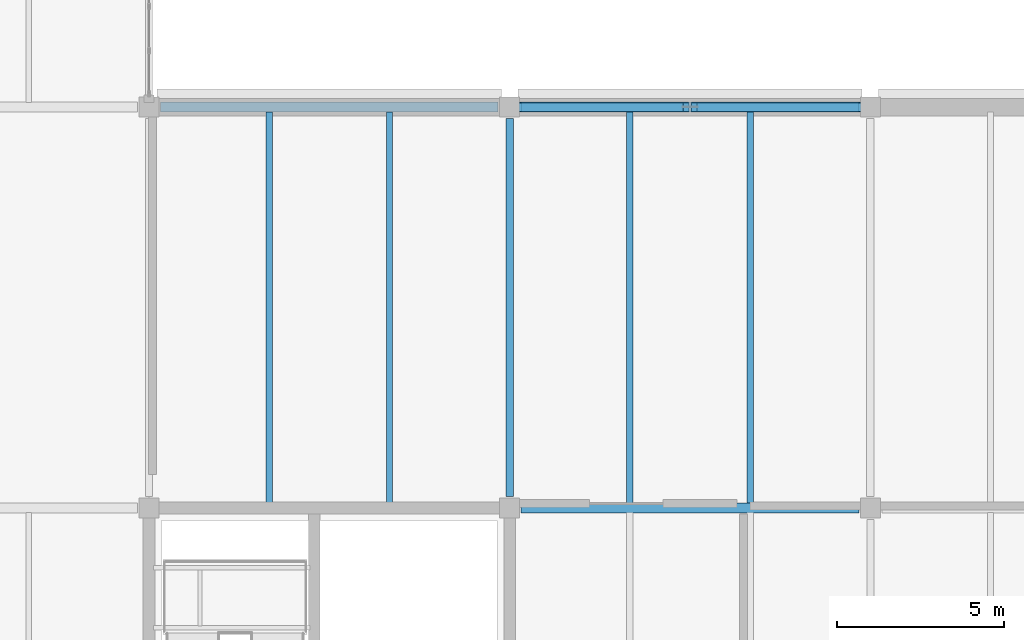
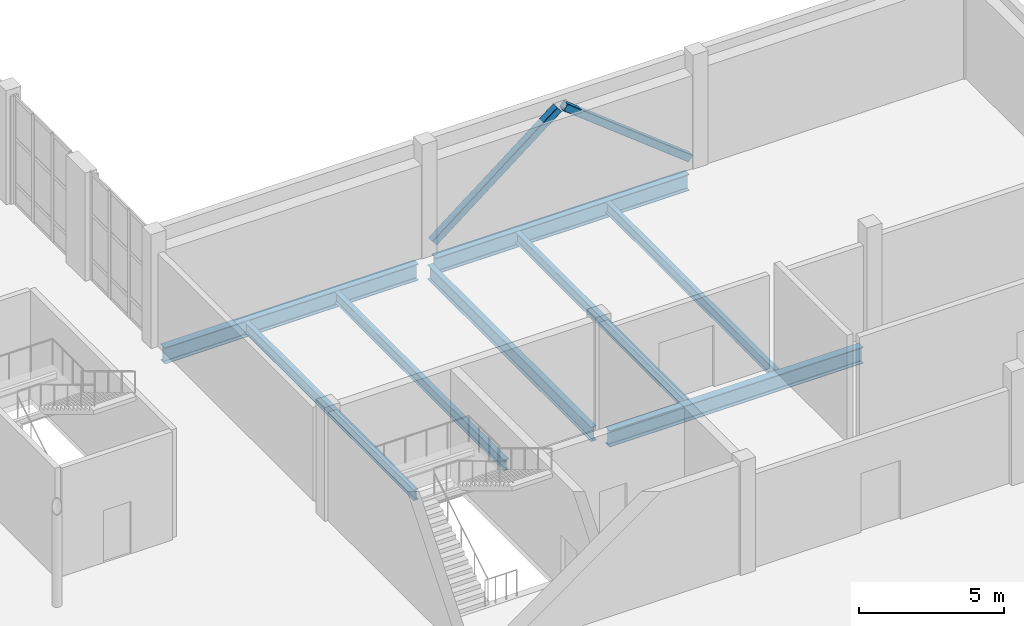
# One storey, part 37 of 100: 8 beams, 2 members.
"""IFC4 building model written with IfcOpenShell, lengths in metres."""

from ifc_helpers import new_model, si_unit, direction, frame, origin, origin_2d, place, context, subcontext, project, spatial, hollow_rectangle, i_section, extrude, material, material_profile, profile_set, type_object, element, save


model = new_model("IFC4")

# Units and contexts
model_context = context("Model", 3, precision=1e-05, world=origin(), true_north=direction((0.0, 1.0)))
body_context = subcontext(model_context, "Body", "Model", "MODEL_VIEW")
ifc_project = project(units=[si_unit("LENGTHUNIT", "METRE"), si_unit("AREAUNIT", "SQUARE_METRE"), si_unit("VOLUMEUNIT", "CUBIC_METRE"), si_unit("PLANEANGLEUNIT", "RADIAN"), si_unit("MASSUNIT", "GRAM", prefix="KILO")], contexts=[model_context])

# Site, building, storey
site_placement = place(None, origin())
site = spatial("IfcSite", under=ifc_project, at=site_placement, CompositionType="ELEMENT")
building_placement = place(site_placement, origin())
building = spatial("IfcBuilding", under=site, at=building_placement, Name="Tasgan Crest Museum", CompositionType="ELEMENT")
storey_placement = place(building_placement, frame((0.0, 0.0, 9.60009765625)))
storey = spatial("IfcBuildingStorey", under=building, at=storey_placement, Name="L02", CompositionType="ELEMENT", Elevation=9.60009765625)

# Beams
ifc_material_1 = material(Name="Steel S355K2", Category="steel")
ifc_material_profile_1 = material_profile(ifc_material_1, i_section(OverallWidth=0.300048828125, OverallDepth=0.68994140625, WebThickness=0.014404296875, FlangeThickness=0.027099609375, FilletRadius=0.027099609375, at=origin_2d()), Name="HEA 700")
ifc_profile_set_1 = profile_set([ifc_material_profile_1], Name="Steel S355K2")
beam_type_1 = type_object("IfcBeamType", Name="BM-G-HEA700", PredefinedType="BEAM", material=ifc_profile_set_1)
beam_1_placement = place(storey_placement, frame((119.14599609375, 50.0, -0.625), z_axis=(1.0, 0.0, 0.0), x_axis=(0.0, 1.0, 0.0)))
element("IfcBeam", 1, at=beam_1_placement, inside=storey, type_object=beam_type_1, Name="Girder L02 F 118.8-129.6", PredefinedType="BEAM", context=body_context, shape_type="SweptSolid", body=[
    extrude(i_section(OverallWidth=0.300048828125, OverallDepth=0.68994140625, WebThickness=0.014404296875, FlangeThickness=0.027099609375, FilletRadius=0.027099609375, at=origin_2d()), origin(), (0.0, 0.0, 1.0), 10.10791015625),
])
beam_2_placement = place(storey_placement, frame((108.345947265625, 62.0, -0.625), z_axis=(1.0, 0.0, 0.0), x_axis=(0.0, 1.0, 0.0)))
element("IfcBeam", 2, at=beam_2_placement, inside=storey, type_object=beam_type_1, Name="Girder L02 G 108.0-118.8", PredefinedType="BEAM", context=body_context, shape_type="SweptSolid", body=[
    extrude(i_section(OverallWidth=0.300048828125, OverallDepth=0.68994140625, WebThickness=0.014404296875, FlangeThickness=0.027099609375, FilletRadius=0.027099609375, at=origin_2d()), origin(), (0.0, 0.0, 1.0), 10.108154296875),
])
beam_3_placement = place(storey_placement, frame((119.14599609375, 62.0, -0.625), z_axis=(1.0, 0.0, 0.0), x_axis=(0.0, 1.0, 0.0)))
element("IfcBeam", 3, at=beam_3_placement, inside=storey, type_object=beam_type_1, Name="Girder L02 G 118.8-129.6", PredefinedType="BEAM", context=body_context, shape_type="SweptSolid", body=[
    extrude(i_section(OverallWidth=0.300048828125, OverallDepth=0.68994140625, WebThickness=0.014404296875, FlangeThickness=0.027099609375, FilletRadius=0.027099609375, at=origin_2d()), origin(), (0.0, 0.0, 1.0), 10.10791015625),
])
ifc_material_2 = material(Name="Steel S355J2", Category="steel")
ifc_material_profile_2 = material_profile(ifc_material_2, i_section(OverallWidth=0.219970703125, OverallDepth=0.60009765625, WebThickness=0.011962890625, FlangeThickness=0.01904296875, FilletRadius=0.02392578125, at=origin_2d()), Name="IPE 600")
ifc_profile_set_2 = profile_set([ifc_material_profile_2], Name="Steel S355J2")
beam_type_2 = type_object("IfcBeamType", Name="BM-G-IPE600", PredefinedType="BEAM", material=ifc_profile_set_2)
beam_4_placement = place(storey_placement, frame((118.800048828125, 50.344970703125, -0.580078125), z_axis=(0.0, 1.0, 0.0), x_axis=(-1.0, 0.0, 0.0)))
element("IfcBeam", 4, at=beam_4_placement, inside=storey, type_object=beam_type_2, Name="Beam L02 12 50.0-62.0", PredefinedType="BEAM", context=body_context, shape_type="SweptSolid", body=[
    extrude(i_section(OverallWidth=0.219970703125, OverallDepth=0.60009765625, WebThickness=0.011962890625, FlangeThickness=0.01904296875, FilletRadius=0.02392578125, at=origin_2d()), origin(), (0.0, 0.0, 1.0), 11.31005859375),
])
ifc_material_3 = material(Name="Steel S355J2", Category="steel")
ifc_material_profile_3 = material_profile(ifc_material_3, i_section(OverallWidth=0.18994140625, OverallDepth=0.449951171875, WebThickness=0.009521484375, FlangeThickness=0.0146484375, FilletRadius=0.02099609375, at=origin_2d()), Name="IPE 450")
ifc_profile_set_3 = profile_set([ifc_material_profile_3], Name="Steel S355J2")
beam_type_3 = type_object("IfcBeamType", Name="BM-J-IPE450", PredefinedType="JOIST", material=ifc_profile_set_3)
for number, where, z_axis, x_axis, name in (
    (5, (111.60009765625, 50.14501953125, -0.505126953125), (0.0, 1.0, 0.0), (-1.0, 0.0, 0.0), "Secondary joist L02 X=111.6 Y=50.0-62.0"),
    (6, (115.199951171875, 50.14501953125, -0.505126953125), (0.0, 1.0, 0.0), (-1.0, 0.0, 0.0), "Secondary joist L02 X=115.2 Y=50.0-62.0"),
    (7, (122.39990234375, 50.14501953125, -0.505126953125), (0.0, 1.0, 0.0), (-1.0, 0.0, 0.0), "Secondary joist L02 X=122.4 Y=50.0-62.0"),
    (8, (126.0, 50.14501953125, -0.505126953125), (0.0, 1.0, 0.0), (-1.0, 0.0, 0.0), "Secondary joist L02 X=126.0 Y=50.0-62.0"),
):
    element("IfcBeam", number, at=place(storey_placement, frame(where, z_axis=z_axis, x_axis=x_axis)), inside=storey, type_object=beam_type_3, Name=name, PredefinedType="JOIST", context=body_context, shape_type="SweptSolid", body=[
        extrude(i_section(OverallWidth=0.18994140625, OverallDepth=0.449951171875, WebThickness=0.009521484375, FlangeThickness=0.0146484375, FilletRadius=0.02099609375, at=origin_2d()), origin(), (0.0, 0.0, 1.0), 11.7099609375),
    ])

# Members
ifc_material_4 = material(Name="Steel S355K2", Category="steel")
ifc_material_profile_4 = material_profile(ifc_material_4, hollow_rectangle(XDim=0.300048828125, YDim=0.300048828125, WallThickness=0.01611328125, InnerFilletRadius=0.01611328125, OuterFilletRadius=0.031982421875, at=origin_2d()), Name="SHS 300x300x16")
ifc_profile_set_4 = profile_set([ifc_material_profile_4], Name="Steel S355K2")
member_type = type_object("IfcMemberType", Name="MEM-BR-SHS300", PredefinedType="BRACE", material=ifc_profile_set_4)
for number, where, z_axis, x_axis, name in (
    (9, (119.10009765625, 62.0, 0.349853515625), (0.78729237904, 0.0, 0.616579848767), (0.0, 1.0, 0.0), "Chevron brace L L02 G 118.8"),
    (10, (129.300048828125, 62.0, 0.349853515625), (-0.78729237904, 0.0, 0.616579848767), (0.0, -1.0, 0.0), "Chevron brace R L02 G 129.6"),
):
    element("IfcMember", number, at=place(storey_placement, frame(where, z_axis=z_axis, x_axis=x_axis)), inside=storey, type_object=member_type, Name=name, PredefinedType="BRACE", context=body_context, shape_type="SweptSolid", body=[
        extrude(hollow_rectangle(XDim=0.300048828125, YDim=0.300048828125, WallThickness=0.01611328125, InnerFilletRadius=0.01611328125, OuterFilletRadius=0.031982421875, at=origin_2d()), origin(), (0.0, 0.0, 1.0), 6.325439453125),
    ])

save(model, "model.ifc")
